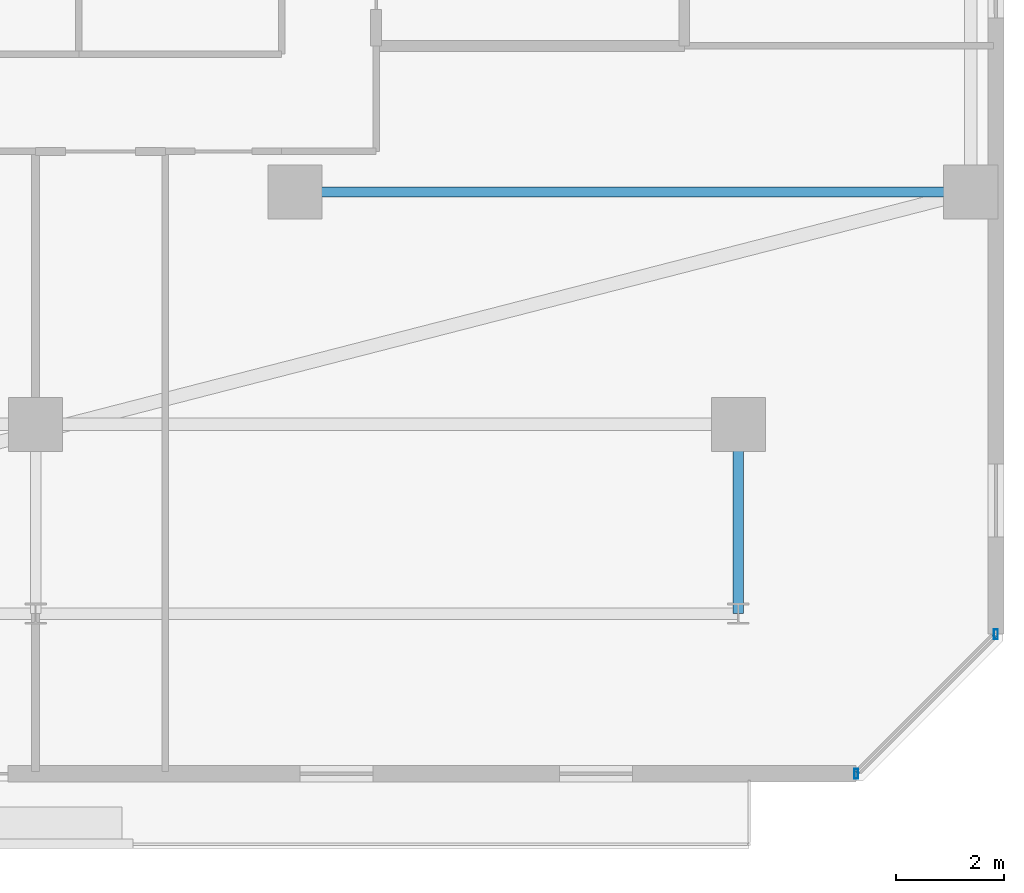
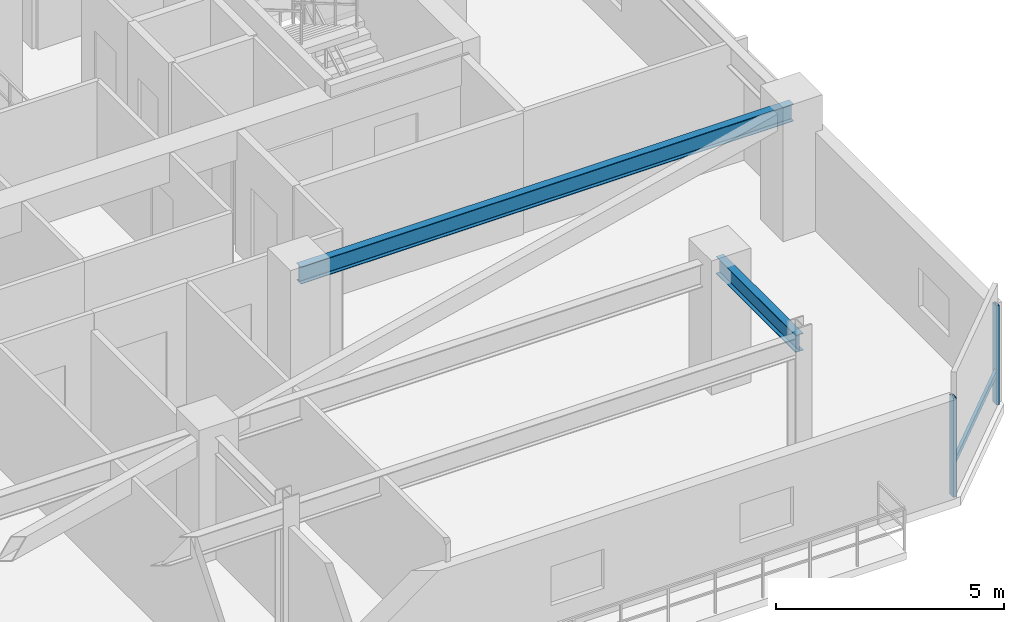
# One storey, part 13 of 33: 3 members, 2 beams, 1 element without a shape of its own.
"""IFC4 building model written with IfcOpenShell, lengths in metres."""

from ifc_helpers import new_model, si_unit, direction, frame, origin, origin_2d, place, context, subcontext, project, spatial, hollow_rectangle, i_section, extrude, material, material_profile, profile_set, type_object, element, aggregate, save


model = new_model("IFC4")

# Units and contexts
model_context = context("Model", 3, precision=1e-05, world=origin(), true_north=direction((0.0, 1.0)))
body_context = subcontext(model_context, "Body", "Model", "MODEL_VIEW")
ifc_project = project(units=[si_unit("LENGTHUNIT", "METRE"), si_unit("AREAUNIT", "SQUARE_METRE"), si_unit("VOLUMEUNIT", "CUBIC_METRE"), si_unit("PLANEANGLEUNIT", "RADIAN"), si_unit("MASSUNIT", "GRAM", prefix="KILO")], contexts=[model_context])

# Site, building, storey
site_placement = place(None, origin())
site = spatial("IfcSite", under=ifc_project, at=site_placement, CompositionType="ELEMENT")
building_placement = place(site_placement, origin())
building = spatial("IfcBuilding", under=site, at=building_placement, Name="Thornwick Lancets Civic Towers", CompositionType="ELEMENT")
storey_placement = place(building_placement, frame((0.0, 0.0, 218.10009765625)))
storey = spatial("IfcBuildingStorey", under=building, at=storey_placement, Name="L58", CompositionType="ELEMENT", Elevation=218.10009765625)

# Beams
ifc_material_1 = material(Name="Steel S355JR", Category="steel")
ifc_material_profile_1 = material_profile(ifc_material_1, i_section(OverallWidth=0.19189453125, OverallDepth=0.46337890625, WebThickness=0.010498046875, FlangeThickness=0.017578125, FilletRadius=0.01025390625, at=origin_2d()), Name="UKB 457x191x89")
ifc_profile_set_1 = profile_set([ifc_material_profile_1], Name="Steel S355JR")
beam_type = type_object("IfcBeamType", Name="BM_JOIST_457_89", PredefinedType="JOIST", material=ifc_profile_set_1)
beam_1_placement = place(storey_placement, frame((93.300048828125, 14.0, 3.048095703125), z_axis=(1.0, 0.0, 0.0), x_axis=(0.0, 1.0, 0.0)))
element("IfcBeam", 1, at=beam_1_placement, inside=storey, type_object=beam_type, Name="BM-RADIN-L58-B01", PredefinedType="JOIST", context=body_context, shape_type="SweptSolid", body=[
    extrude(i_section(OverallWidth=0.19189453125, OverallDepth=0.46337890625, WebThickness=0.010498046875, FlangeThickness=0.017578125, FilletRadius=0.01025390625, at=origin_2d()), origin(), (0.0, 0.0, 1.0), 12.5),
])
beam_2_placement = place(storey_placement, frame((101.5, 9.699951171875, 3.048095703125), z_axis=(0.0, -1.0, 0.0), x_axis=(1.0, 0.0, 0.0)))
element("IfcBeam", 2, at=beam_2_placement, inside=storey, type_object=beam_type, Name="BM-RAD-L58-B10", PredefinedType="JOIST", context=body_context, shape_type="SweptSolid", body=[
    extrude(i_section(OverallWidth=0.19189453125, OverallDepth=0.46337890625, WebThickness=0.010498046875, FlangeThickness=0.017578125, FilletRadius=0.01025390625, at=origin_2d()), origin(), (0.0, 0.0, 1.0), 3.5),
])

# Curtain wall, members
ifc_material_2 = material(Name="High-zone chamfered-corner unitised glass curtain wall", Category="glass")
curtain_wall_type = type_object("IfcCurtainWallType", Name="CW_SYS_05", PredefinedType="NOTDEFINED", material=ifc_material_2)
curtain_wall_placement = place(storey_placement, origin())
curtain_wall = element("IfcCurtainWall", 3, at=curtain_wall_placement, inside=storey, type_object=curtain_wall_type, Name="L58 Curtain Wall CW-L58-B-E1", PredefinedType="NOTDEFINED")
ifc_material_3 = material(Name="Thermally broken bronze aluminium S355", Category="steel")
ifc_material_profile_2 = material_profile(ifc_material_3, hollow_rectangle(XDim=0.074951171875, YDim=0.179931640625, WallThickness=0.006103515625, at=origin_2d()), Name="RHS 180x75x6")
ifc_profile_set_2 = profile_set([ifc_material_profile_2], Name="Thermally broken bronze aluminium S355")
member_type_1 = type_object("IfcMemberType", Name="CW_MUL_180", PredefinedType="MULLION", material=ifc_profile_set_2)
member_1_placement = place(storey_placement, frame((103.681396484375, 3.2353515625, 0.0), z_axis=(0.0, 0.0, 1.0), x_axis=(1.0, 0.0, 0.0)))
member_1 = element("IfcMember", 4, at=member_1_placement, type_object=member_type_1, Name="CW-L58-B-E1 Mullion 0", PredefinedType="MULLION", context=body_context, shape_type="SweptSolid", body=[
    extrude(hollow_rectangle(XDim=0.074951171875, YDim=0.179931640625, WallThickness=0.006103515625, at=origin_2d()), origin(), (0.0, 0.0, 1.0), 2.659912109375),
])
member_2_placement = place(storey_placement, frame((106.2646484375, 5.818603515625, 0.0), z_axis=(0.0, 0.0, 1.0), x_axis=(1.0, 0.0, 0.0)))
member_2 = element("IfcMember", 5, at=member_2_placement, type_object=member_type_1, Name="CW-L58-B-E1 Mullion 1", PredefinedType="MULLION", context=body_context, shape_type="SweptSolid", body=[
    extrude(hollow_rectangle(XDim=0.074951171875, YDim=0.179931640625, WallThickness=0.006103515625, at=origin_2d()), origin(), (0.0, 0.0, 1.0), 2.659912109375),
])
ifc_material_profile_3 = material_profile(ifc_material_3, hollow_rectangle(XDim=0.074951171875, YDim=0.14990234375, WallThickness=0.0048828125, at=origin_2d()), Name="RHS 150x75x5")
ifc_profile_set_3 = profile_set([ifc_material_profile_3], Name="Thermally broken bronze aluminium S355")
member_type_2 = type_object("IfcMemberType", Name="CW_TRN_150", PredefinedType="USERDEFINED", material=ifc_profile_set_3)
member_3_placement = place(storey_placement, frame((103.695556640625, 3.24951171875, 0.849853515625), z_axis=(0.707106781187, 0.707106781187, 0.0), x_axis=(-0.707106781187, 0.707106781187, 0.0)))
member_3 = element("IfcMember", 6, at=member_3_placement, type_object=member_type_2, Name="CW-L58-B-E1 Transom 0", ObjectType="TRANSOM", PredefinedType="USERDEFINED", context=body_context, shape_type="SweptSolid", body=[
    extrude(hollow_rectangle(XDim=0.074951171875, YDim=0.14990234375, WallThickness=0.0048828125, at=origin_2d()), origin(), (0.0, 0.0, 1.0), 3.61328125),
])
aggregate(curtain_wall, [member_1, member_2, member_3])

save(model, "model.ifc")
